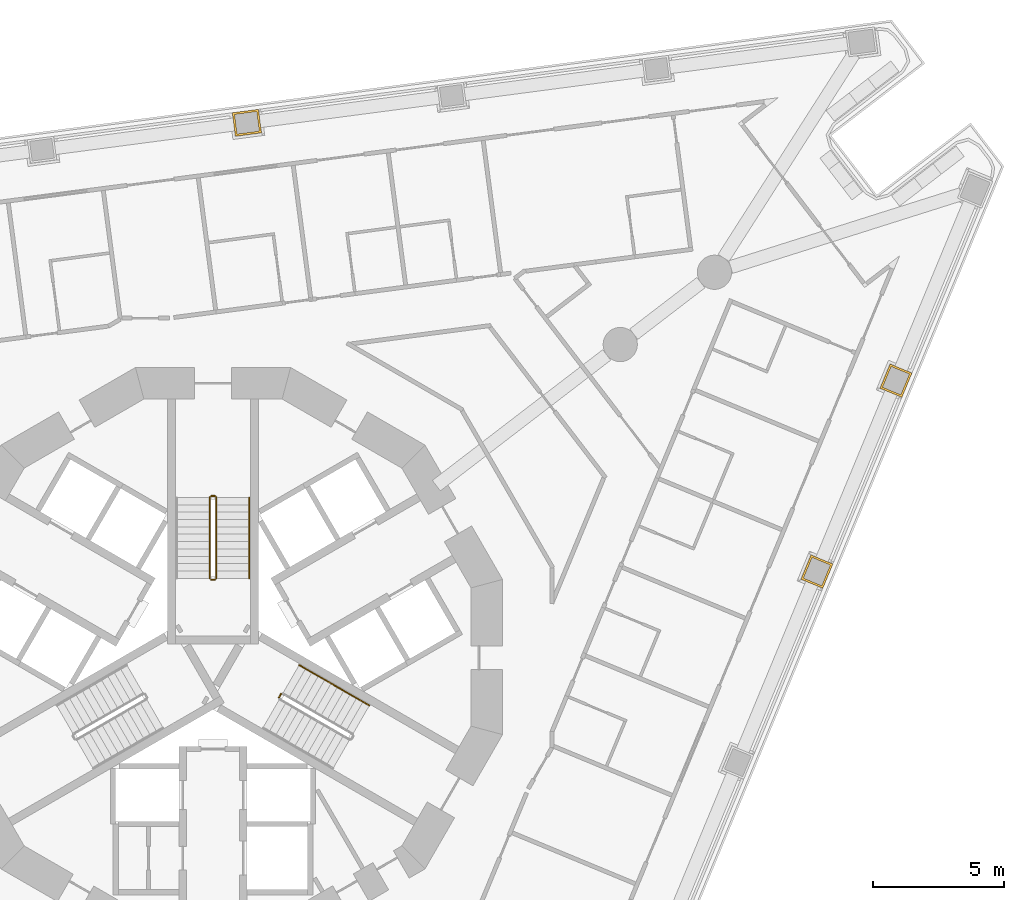
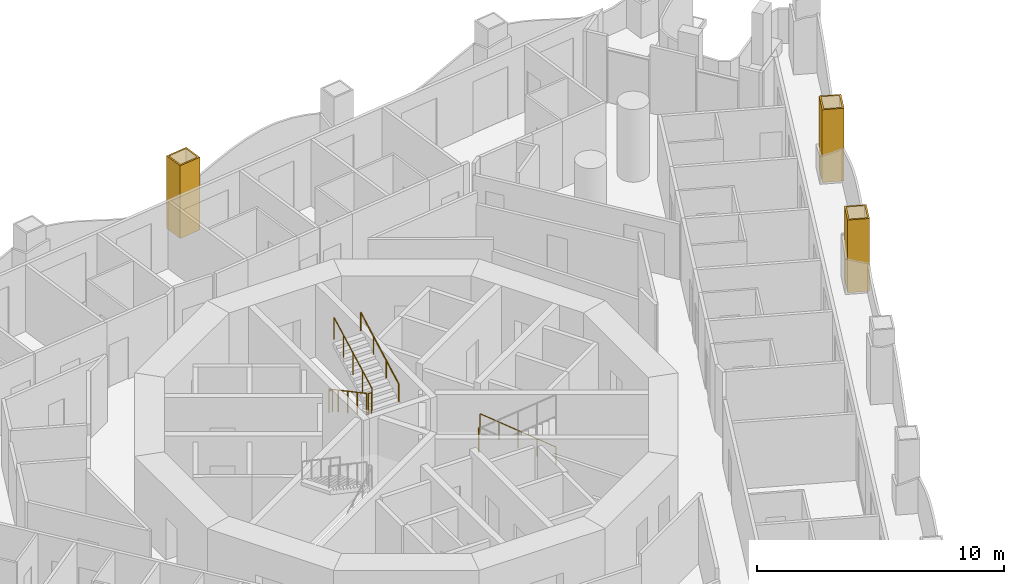
# One storey, part 17 of 19: 8 railings, 3 coverings.
"""IFC4 building model written with IfcOpenShell, lengths in metres."""

from ifc_helpers import new_model, si_unit, direction, frame, origin, origin_2d, place, context, subcontext, project, spatial, polyline, circle, outline, extrude, material, layer, layer_set, type_object, element, save


model = new_model("IFC4")

# Units and contexts
model_context = context("Model", 3, precision=1e-05, world=origin(), true_north=direction((0.0, 1.0)))
body_context = subcontext(model_context, "Body", "Model", "MODEL_VIEW")
ifc_project = project(units=[si_unit("LENGTHUNIT", "METRE"), si_unit("AREAUNIT", "SQUARE_METRE"), si_unit("VOLUMEUNIT", "CUBIC_METRE"), si_unit("PLANEANGLEUNIT", "RADIAN"), si_unit("MASSUNIT", "GRAM", prefix="KILO")], contexts=[model_context])

# Site, building, storey
site_placement = place(None, origin())
site = spatial("IfcSite", under=ifc_project, at=site_placement, CompositionType="ELEMENT")
building_placement = place(site_placement, origin())
building = spatial("IfcBuilding", under=site, at=building_placement, Name="Trine Commons Tower", CompositionType="ELEMENT")
storey_placement = place(building_placement, frame((0.0, 0.0, 57.60009765625)))
storey = spatial("IfcBuildingStorey", under=building, at=storey_placement, Name="L13", CompositionType="ELEMENT", Elevation=57.60009765625)

# Coverings
ifc_material_1 = material(Name="Limestone, honed", Category="masonry")
ifc_layer = layer(ifc_material_1, 0.074951171875)
ifc_layer_set = layer_set([ifc_layer], Name="Limestone, honed")
covering_type = type_object("IfcCoveringType", Name="Limestone column cladding 75", PredefinedType="CLADDING", material=ifc_layer_set)
covering_1_placement = place(storey_placement, origin())
element("IfcCovering", 1, at=covering_1_placement, inside=storey, type_object=covering_type, Name="Limestone pier cladding 2-13", PredefinedType="CLADDING", context=body_context, shape_type="SweptSolid", body=[
    extrude(outline(polyline([(81.843505859375, 82.43798828125), (81.72607421875, 83.330322265625), (80.734619140625, 83.19970703125), (80.85205078125, 82.3076171875), (81.843505859375, 82.43798828125)]), holes=[polyline([(81.759521484375, 82.502685546875), (81.66162109375, 83.24609375), (80.81884765625, 83.13525390625), (80.916748046875, 82.3916015625), (81.759521484375, 82.502685546875)])]), origin(), (0.0, 0.0, 1.0), 3.599853515625),
])
covering_2_placement = place(storey_placement, origin())
element("IfcCovering", 2, at=covering_2_placement, inside=storey, type_object=covering_type, Name="Limestone pier cladding 2-18", PredefinedType="CLADDING", context=body_context, shape_type="SweptSolid", body=[
    extrude(outline(polyline([(106.58349609375, 73.30029296875), (105.751953125, 73.644775390625), (105.369140625, 72.720947265625), (106.20068359375, 72.37646484375), (106.58349609375, 73.30029296875)]), holes=[polyline([(106.4853515625, 73.259765625), (105.79248046875, 73.546875), (105.46728515625, 72.761474609375), (106.16015625, 72.474365234375), (106.4853515625, 73.259765625)])]), origin(), (0.0, 0.0, 1.0), 3.599853515625),
])
covering_3_placement = place(storey_placement, origin())
element("IfcCovering", 3, at=covering_3_placement, inside=storey, type_object=covering_type, Name="Limestone pier cladding 2-19", PredefinedType="CLADDING", context=body_context, shape_type="SweptSolid", body=[
    extrude(outline(polyline([(103.575439453125, 66.0380859375), (102.743896484375, 66.382568359375), (102.361083984375, 65.458740234375), (103.192626953125, 65.114501953125), (103.575439453125, 66.0380859375)]), holes=[polyline([(103.477294921875, 65.99755859375), (102.784423828125, 66.28466796875), (102.459228515625, 65.49951171875), (103.152099609375, 65.21240234375), (103.477294921875, 65.99755859375)])]), origin(), (0.0, 0.0, 1.0), 3.599853515625),
])

# Railings
ifc_material_2 = material(Name="Stainless steel balustrade", Category="steel")
railing_type_1 = type_object("IfcRailingType", Name="Stair guard, steel balustrade 1100", PredefinedType="GUARDRAIL", material=ifc_material_2)
railing_1_placement = place(storey_placement, frame((79.875, 68.570556640625, 0.14990234375)))
element("IfcRailing", 4, at=railing_1_placement, inside=storey, type_object=railing_type_1, Name="L13 ST1A stair guard 1", PredefinedType="GUARDRAIL", context=body_context, shape_type="SweptSolid", body=[
    extrude(circle(Radius=0.02392578125, at=origin_2d()), frame((0.0, 0.0, 1.076171875), z_axis=(0.0, -0.881496589024, 0.472190389079), x_axis=(1.0, 0.0, 0.0)), (0.0, 0.0, 1.0), 3.494140625),
    extrude(circle(Radius=0.02099609375, at=origin_2d()), origin(), (0.0, 0.0, 1.0), 1.052001953125),
    extrude(circle(Radius=0.02099609375, at=origin_2d()), frame((0.0, -0.77001953125, 0.41259765625)), (0.0, 0.0, 1.0), 1.052001953125),
    extrude(circle(Radius=0.02099609375, at=origin_2d()), frame((0.0, -1.5400390625, 0.824951171875)), (0.0, 0.0, 1.0), 1.052001953125),
    extrude(circle(Radius=0.02099609375, at=origin_2d()), frame((0.0, -2.31005859375, 1.2373046875)), (0.0, 0.0, 1.0), 1.052001953125),
    extrude(circle(Radius=0.02099609375, at=origin_2d()), frame((0.0, -3.080078125, 1.64990234375)), (0.0, 0.0, 1.0), 1.052001953125),
])
railing_2_placement = place(storey_placement, frame((79.925048828125, 65.440673828125, 1.7998046875)))
element("IfcRailing", 5, at=railing_2_placement, inside=storey, type_object=railing_type_1, Name="L13 ST1A stair guard 2", PredefinedType="GUARDRAIL", context=body_context, shape_type="SweptSolid", body=[
    extrude(circle(Radius=0.02392578125, at=origin_2d()), frame((0.0, 0.0, 1.076171875), z_axis=(1.0, 0.0, 0.0), x_axis=(0.0, 1.0, 0.0)), (0.0, 0.0, 1.0), 0.14990234375),
    extrude(circle(Radius=0.02099609375, at=origin_2d()), origin(), (0.0, 0.0, 1.0), 1.052001953125),
    extrude(circle(Radius=0.02099609375, at=origin_2d()), frame((0.14990234375, 0.0, 0.0)), (0.0, 0.0, 1.0), 1.052001953125),
])
railing_3_placement = place(storey_placement, frame((80.125, 65.490478515625, 1.949951171875)))
element("IfcRailing", 6, at=railing_3_placement, inside=storey, type_object=railing_type_1, Name="L13 ST1A stair guard 3", PredefinedType="GUARDRAIL", context=body_context, shape_type="SweptSolid", body=[
    extrude(circle(Radius=0.02392578125, at=origin_2d()), frame((0.0, 0.0, 1.076171875), z_axis=(0.0, 0.881496589024, 0.472190389079), x_axis=(-1.0, 0.0, 0.0)), (0.0, 0.0, 1.0), 3.494140625),
    extrude(circle(Radius=0.02099609375, at=origin_2d()), origin(), (0.0, 0.0, 1.0), 1.052001953125),
    extrude(circle(Radius=0.02099609375, at=origin_2d()), frame((0.0, 0.77001953125, 0.41259765625)), (0.0, 0.0, 1.0), 1.052001953125),
    extrude(circle(Radius=0.02099609375, at=origin_2d()), frame((0.0, 1.5400390625, 0.824951171875)), (0.0, 0.0, 1.0), 1.052001953125),
    extrude(circle(Radius=0.02099609375, at=origin_2d()), frame((0.0, 2.31005859375, 1.2373046875)), (0.0, 0.0, 1.0), 1.052001953125),
    extrude(circle(Radius=0.02099609375, at=origin_2d()), frame((0.0, 3.080078125, 1.64990234375)), (0.0, 0.0, 1.0), 1.052001953125),
])
railing_4_placement = place(storey_placement, frame((79.925048828125, 68.62060546875, 0.0)))
element("IfcRailing", 7, at=railing_4_placement, inside=storey, type_object=railing_type_1, Name="L13 ST1A stair guard 4", PredefinedType="GUARDRAIL", context=body_context, shape_type="SweptSolid", body=[
    extrude(circle(Radius=0.02392578125, at=origin_2d()), frame((0.0, 0.0, 1.076171875), z_axis=(1.0, 0.0, 0.0), x_axis=(0.0, 1.0, 0.0)), (0.0, 0.0, 1.0), 0.14990234375),
    extrude(circle(Radius=0.02099609375, at=origin_2d()), origin(), (0.0, 0.0, 1.0), 1.052001953125),
    extrude(circle(Radius=0.02099609375, at=origin_2d()), frame((0.14990234375, 0.0, 0.0)), (0.0, 0.0, 1.0), 1.052001953125),
])
railing_5_placement = place(storey_placement, frame((82.584228515625, 61.0947265625, 1.7998046875)))
element("IfcRailing", 8, at=railing_5_placement, inside=storey, type_object=railing_type_1, Name="L13 ST3A stair guard 2", PredefinedType="GUARDRAIL", context=body_context, shape_type="SweptSolid", body=[
    extrude(circle(Radius=0.02392578125, at=origin_2d()), frame((0.0, 0.0, 1.076171875), z_axis=(-0.501036270542, -0.865426285481, 0.0), x_axis=(0.865426285481, -0.501036270542, 0.0)), (0.0, 0.0, 1.0), 0.150146484375),
    extrude(circle(Radius=0.02099609375, at=origin_2d()), origin(), (0.0, 0.0, 1.0), 1.052001953125),
    extrude(circle(Radius=0.02099609375, at=origin_2d()), frame((-0.0751953125, -0.1298828125, 0.0)), (0.0, 0.0, 1.0), 1.052001953125),
])
ifc_material_3 = material(Name="Stainless steel handrail", Category="steel")
railing_type_2 = type_object("IfcRailingType", Name="Stair handrail, steel 900", PredefinedType="HANDRAIL", material=ifc_material_3)
railing_6_placement = place(storey_placement, frame((81.375, 65.490478515625, 1.949951171875)))
element("IfcRailing", 9, at=railing_6_placement, inside=storey, type_object=railing_type_2, Name="L13 ST1A stair handrail 2", PredefinedType="HANDRAIL", context=body_context, shape_type="SweptSolid", body=[
    extrude(circle(Radius=0.02099609375, at=origin_2d()), frame((0.0, 0.0, 0.87890625), z_axis=(0.0, 0.881496589024, 0.472190389079), x_axis=(-1.0, 0.0, 0.0)), (0.0, 0.0, 1.0), 3.494140625),
    extrude(circle(Radius=0.01513671875, at=origin_2d()), origin(), (0.0, 0.0, 1.0), 0.85791015625),
    extrude(circle(Radius=0.01513671875, at=origin_2d()), frame((0.0, 1.026611328125, 0.550048828125)), (0.0, 0.0, 1.0), 0.85791015625),
    extrude(circle(Radius=0.01513671875, at=origin_2d()), frame((0.0, 2.053466796875, 1.099853515625)), (0.0, 0.0, 1.0), 0.85791015625),
    extrude(circle(Radius=0.01513671875, at=origin_2d()), frame((0.0, 3.080078125, 1.64990234375)), (0.0, 0.0, 1.0), 0.85791015625),
])
for number, where, name in (
    (10, (85.94482421875, 60.655517578125, 0.14990234375), "L13 ST3A stair handrail 1"),
    (11, (84.611083984375, 61.425537109375, 0.974853515625), "L13 ST3A stair handrail 2"),
):
    element("IfcRailing", number, at=place(storey_placement, frame(where)), inside=storey, type_object=railing_type_2, Name=name, PredefinedType="HANDRAIL", context=body_context, shape_type="SweptSolid", body=[
        extrude(circle(Radius=0.02099609375, at=origin_2d()), frame((0.0, 0.0, 0.87890625), z_axis=(-0.76340495495, 0.440743040072, 0.472184759798), x_axis=(-0.499992328818, -0.866029832698, 0.0)), (0.0, 0.0, 1.0), 1.7470703125),
        extrude(circle(Radius=0.01513671875, at=origin_2d()), origin(), (0.0, 0.0, 1.0), 0.85791015625),
        extrude(circle(Radius=0.01513671875, at=origin_2d()), frame((-0.6669921875, 0.385009765625, 0.41259765625)), (0.0, 0.0, 1.0), 0.85791015625),
        extrude(circle(Radius=0.01513671875, at=origin_2d()), frame((-1.333740234375, 0.77001953125, 0.824951171875)), (0.0, 0.0, 1.0), 0.85791015625),
    ])

save(model, "model.ifc")
